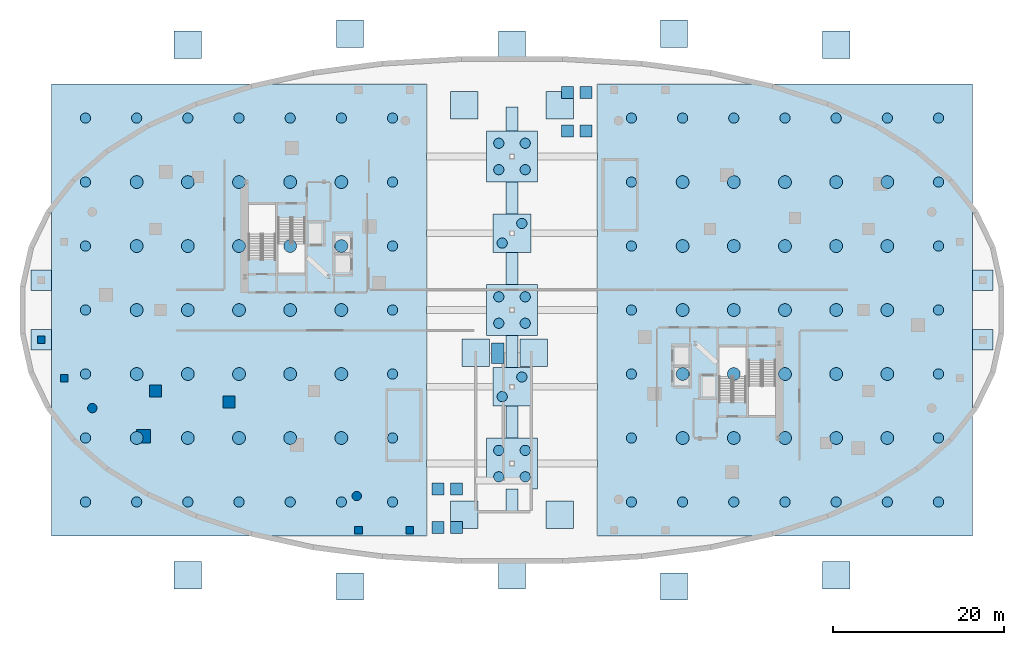
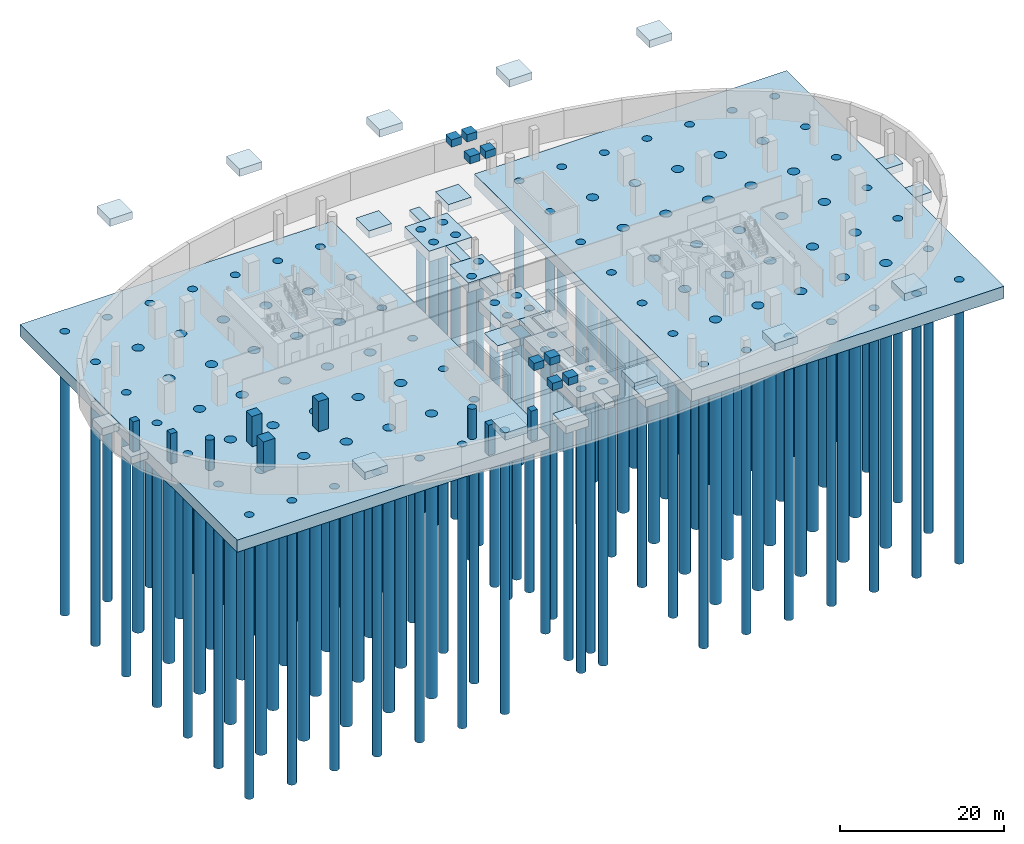
# One storey, part 1 of 10: 114 piles, 42 footings, 9 columns.
"""IFC4 building model written with IfcOpenShell, lengths in metres."""

from ifc_helpers import new_model, si_unit, direction, frame, origin, origin_2d, place, context, subcontext, project, spatial, rectangle, circle, extrude, material, layer, layer_set, material_profile, profile_set, type_object, element, save


model = new_model("IFC4")

# Units and contexts
model_context = context("Model", 3, precision=1e-05, world=origin(), true_north=direction((0.0, 1.0)))
body_context = subcontext(model_context, "Body", "Model", "MODEL_VIEW")
ifc_project = project(units=[si_unit("LENGTHUNIT", "METRE"), si_unit("AREAUNIT", "SQUARE_METRE"), si_unit("VOLUMEUNIT", "CUBIC_METRE"), si_unit("PLANEANGLEUNIT", "RADIAN"), si_unit("MASSUNIT", "GRAM", prefix="KILO"), si_unit("THERMODYNAMICTEMPERATUREUNIT", "KELVIN"), si_unit("POWERUNIT", "WATT")], contexts=[model_context])

# Site, building, storey
site_placement = place(None, origin())
site = spatial("IfcSite", under=ifc_project, at=site_placement, CompositionType="ELEMENT")
building_placement = place(site_placement, origin())
building = spatial("IfcBuilding", under=site, at=building_placement, Name="Cundina Bronze Exchange", CompositionType="ELEMENT")
storey_placement = place(building_placement, frame((0.0, 0.0, -9.0)))
storey = spatial("IfcBuildingStorey", under=building, at=storey_placement, Name="B02", CompositionType="ELEMENT", Elevation=-9.0)

# Footings
ifc_material_1 = material(Name="Concrete C40/50", Category="concrete")
ifc_layer_1 = layer(ifc_material_1, 1.39990234375, Name="Concrete C40/50", Category="concrete")
ifc_layer_set_1 = layer_set([ifc_layer_1], Name="Concrete C40/50")
footing_type_1 = type_object("IfcFootingType", Name="FTG-CAP-450", PredefinedType="PILE_CAP", material=ifc_layer_set_1)
for number, where, z_axis, x_axis, name in (
    (1, (0.0, -9.0, -1.39990234375), (0.0, 0.0, 1.0), (1.0, 0.0, 0.0), "Concourse Intermediate Pile Cap C4-1"),
    (2, (0.0, 9.0, -1.39990234375), (0.0, 0.0, 1.0), (1.0, 0.0, 0.0), "Concourse Intermediate Pile Cap C4-2"),
):
    element("IfcFooting", number, at=place(storey_placement, frame(where, z_axis=z_axis, x_axis=x_axis)), inside=storey, type_object=footing_type_1, Name=name, PredefinedType="PILE_CAP", context=body_context, shape_type="SweptSolid", body=[
        extrude(rectangle(XDim=4.5, YDim=4.5, at=origin_2d()), origin(), (0.0, 0.0, 1.0), 1.39990234375),
    ])
ifc_layer_2 = layer(ifc_material_1, 1.60009765625, Name="Concrete C40/50", Category="concrete")
ifc_layer_set_2 = layer_set([ifc_layer_2], Name="Concrete C40/50")
footing_type_2 = type_object("IfcFootingType", Name="FTG-CAP-600", PredefinedType="PILE_CAP", material=ifc_layer_set_2)
for number, where, z_axis, x_axis, name in (
    (3, (0.0, -18.0, -1.60009765625), (0.0, 0.0, 1.0), (1.0, 0.0, 0.0), "Concourse Spine Pile Cap C6-1"),
    (4, (0.0, 0.0, -1.60009765625), (0.0, 0.0, 1.0), (1.0, 0.0, 0.0), "Concourse Spine Pile Cap C6-2"),
    (5, (0.0, 18.0, -1.60009765625), (0.0, 0.0, 1.0), (1.0, 0.0, 0.0), "Concourse Spine Pile Cap C6-3"),
):
    element("IfcFooting", number, at=place(storey_placement, frame(where, z_axis=z_axis, x_axis=x_axis)), inside=storey, type_object=footing_type_2, Name=name, PredefinedType="PILE_CAP", context=body_context, shape_type="SweptSolid", body=[
        extrude(rectangle(XDim=6.0, YDim=6.0, at=origin_2d()), origin(), (0.0, 0.0, 1.0), 1.60009765625),
    ])
ifc_layer_3 = layer(ifc_material_1, 1.10009765625, Name="Concrete C40/50", Category="concrete")
ifc_layer_set_3 = layer_set([ifc_layer_3], Name="Concrete C40/50")
footing_type_3 = type_object("IfcFootingType", Name="FTG-PAD-320", PredefinedType="PAD_FOOTING", material=ifc_layer_set_3)
for number, where, z_axis, x_axis, name in (
    (6, (-5.60009765625, -24.0, -1.10009765625), (0.0, 0.0, 1.0), (1.0, 0.0, 0.0), "Podium Concourse Pad Footing PF-1"),
    (7, (5.60009765625, -24.0, -1.10009765625), (0.0, 0.0, 1.0), (1.0, 0.0, 0.0), "Podium Concourse Pad Footing PF-2"),
    (8, (-5.60009765625, 24.0, -1.10009765625), (0.0, 0.0, 1.0), (1.0, 0.0, 0.0), "Podium Concourse Pad Footing PF-3"),
    (9, (5.60009765625, 24.0, -1.10009765625), (0.0, 0.0, 1.0), (1.0, 0.0, 0.0), "Podium Concourse Pad Footing PF-4"),
    (10, (-4.25, -5.0, -1.10009765625), (0.0, 0.0, 1.0), (1.0, 0.0, 0.0), "Podium Concourse Pad Footing PF-5"),
    (11, (2.550048828125, -5.0, -1.10009765625), (0.0, 0.0, 1.0), (1.0, 0.0, 0.0), "Podium Concourse Pad Footing PF-6"),
):
    element("IfcFooting", number, at=place(storey_placement, frame(where, z_axis=z_axis, x_axis=x_axis)), inside=storey, type_object=footing_type_3, Name=name, PredefinedType="PAD_FOOTING", context=body_context, shape_type="SweptSolid", body=[
        extrude(rectangle(XDim=3.199951171875, YDim=3.199951171875, at=origin_2d()), origin(), (0.0, 0.0, 1.0), 1.10009765625),
    ])
footing_1_placement = place(storey_placement, frame((-1.679931640625, -5.050048828125, -1.380126953125), z_axis=(0.0, 0.0, 1.0), x_axis=(1.0, 0.0, 0.0)))
element("IfcFooting", 12, at=footing_1_placement, inside=storey, type_object=footing_type_3, Name="B02 Car Park Ramp Lower Toe Pad Footing", PredefinedType="PAD_FOOTING", context=body_context, shape_type="SweptSolid", body=[
    extrude(rectangle(XDim=1.5, YDim=2.39990234375, at=origin_2d()), origin(), (0.0, 0.0, 1.0), 1.10009765625),
])
for number, where, z_axis, x_axis, name in (
    (13, (-55.199951171875, -3.5, -1.10009765625), (0.0, 0.0, 1.0), (1.0, 0.0, 0.0), "B02 Podium Wing Pad Footing W3"),
    (14, (-55.199951171875, 3.5, -1.10009765625), (0.0, 0.0, 1.0), (1.0, 0.0, 0.0), "B02 Podium Wing Pad Footing W4"),
    (15, (55.199951171875, -3.5, -1.10009765625), (0.0, 0.0, 1.0), (1.0, 0.0, 0.0), "B02 Podium Wing Pad Footing E3"),
    (16, (55.199951171875, 3.5, -1.10009765625), (0.0, 0.0, 1.0), (1.0, 0.0, 0.0), "B02 Podium Wing Pad Footing E4"),
):
    element("IfcFooting", number, at=place(storey_placement, frame(where, z_axis=z_axis, x_axis=x_axis)), inside=storey, type_object=footing_type_3, Name=name, PredefinedType="PAD_FOOTING", context=body_context, shape_type="SweptSolid", body=[
        extrude(rectangle(XDim=2.39990234375, YDim=2.39990234375, at=origin_2d()), origin(), (0.0, 0.0, 1.0), 1.10009765625),
    ])
for number, where, z_axis, x_axis, name in (
    (17, (-8.699951171875, -25.5, 6.449951171875), (0.0, 0.0, 1.0), (1.0, 0.0, 0.0), "Accessible Ramp S Bearing Pad 1"),
    (18, (-6.5, -25.5, 6.449951171875), (0.0, 0.0, 1.0), (1.0, 0.0, 0.0), "Accessible Ramp S Bearing Pad 2"),
    (19, (-8.699951171875, -21.0, 6.699951171875), (0.0, 0.0, 1.0), (1.0, 0.0, 0.0), "Accessible Ramp S Bearing Pad 3"),
    (20, (-6.5, -21.0, 6.699951171875), (0.0, 0.0, 1.0), (1.0, 0.0, 0.0), "Accessible Ramp S Bearing Pad 4"),
    (21, (6.5, 25.5, 6.449951171875), (0.0, 0.0, 1.0), (1.0, 0.0, 0.0), "Accessible Ramp N Bearing Pad 1"),
    (22, (8.699951171875, 25.5, 6.449951171875), (0.0, 0.0, 1.0), (1.0, 0.0, 0.0), "Accessible Ramp N Bearing Pad 2"),
    (23, (6.5, 21.0, 6.699951171875), (0.0, 0.0, 1.0), (1.0, 0.0, 0.0), "Accessible Ramp N Bearing Pad 3"),
    (24, (8.699951171875, 21.0, 6.699951171875), (0.0, 0.0, 1.0), (1.0, 0.0, 0.0), "Accessible Ramp N Bearing Pad 4"),
):
    element("IfcFooting", number, at=place(storey_placement, frame(where, z_axis=z_axis, x_axis=x_axis)), inside=storey, type_object=footing_type_3, Name=name, PredefinedType="PAD_FOOTING", context=body_context, shape_type="SweptSolid", body=[
        extrude(rectangle(XDim=1.39990234375, YDim=1.39990234375, at=origin_2d()), origin(), (0.0, 0.0, 1.0), 1.10009765625),
    ])
for number, where, z_axis, x_axis, name in (
    (25, (-38.0, -31.10009765625, 7.699951171875), (0.0, 0.0, 1.0), (1.0, 0.0, 0.0), "Plaza Entrance Apron Grade Pad Footing S1-1"),
    (26, (-19.0, -32.39990234375, 7.699951171875), (0.0, 0.0, 1.0), (1.0, 0.0, 0.0), "Plaza Entrance Apron Grade Pad Footing S1-2"),
    (27, (0.0, -31.10009765625, 7.699951171875), (0.0, 0.0, 1.0), (1.0, 0.0, 0.0), "Plaza Entrance Apron Grade Pad Footing S1-3"),
    (28, (19.0, -32.39990234375, 7.699951171875), (0.0, 0.0, 1.0), (1.0, 0.0, 0.0), "Plaza Entrance Apron Grade Pad Footing S1-4"),
    (29, (38.0, -31.10009765625, 7.699951171875), (0.0, 0.0, 1.0), (1.0, 0.0, 0.0), "Plaza Entrance Apron Grade Pad Footing S1-5"),
    (30, (-38.0, 31.10009765625, 7.699951171875), (0.0, 0.0, 1.0), (1.0, 0.0, 0.0), "Plaza Entrance Apron Grade Pad Footing N1-1"),
    (31, (-19.0, 32.39990234375, 7.699951171875), (0.0, 0.0, 1.0), (1.0, 0.0, 0.0), "Plaza Entrance Apron Grade Pad Footing N1-2"),
    (32, (0.0, 31.10009765625, 7.699951171875), (0.0, 0.0, 1.0), (1.0, 0.0, 0.0), "Plaza Entrance Apron Grade Pad Footing N1-3"),
    (33, (19.0, 32.39990234375, 7.699951171875), (0.0, 0.0, 1.0), (1.0, 0.0, 0.0), "Plaza Entrance Apron Grade Pad Footing N1-4"),
    (34, (38.0, 31.10009765625, 7.699951171875), (0.0, 0.0, 1.0), (1.0, 0.0, 0.0), "Plaza Entrance Apron Grade Pad Footing N1-5"),
):
    element("IfcFooting", number, at=place(storey_placement, frame(where, z_axis=z_axis, x_axis=x_axis)), inside=storey, type_object=footing_type_3, Name=name, PredefinedType="PAD_FOOTING", context=body_context, shape_type="SweptSolid", body=[
        extrude(rectangle(XDim=3.199951171875, YDim=3.199951171875, at=origin_2d()), origin(), (0.0, 0.0, 1.0), 1.10009765625),
    ])
ifc_layer_4 = layer(ifc_material_1, 1.800048828125, Name="Concrete C40/50", Category="concrete")
ifc_layer_set_4 = layer_set([ifc_layer_4], Name="Concrete C40/50")
footing_type_4 = type_object("IfcFootingType", Name="FTG-RAFT-E", PredefinedType="PILE_CAP", material=ifc_layer_set_4)
footing_2_placement = place(storey_placement, frame((32.0, 0.0, -1.7998046875), z_axis=(0.0, 0.0, 1.0), x_axis=(1.0, 0.0, 0.0)))
element("IfcFooting", 35, at=footing_2_placement, inside=storey, type_object=footing_type_4, Name="East Tower Cellular Piled-Raft Cap", PredefinedType="PILE_CAP", context=body_context, shape_type="SweptSolid", body=[
    extrude(rectangle(XDim=44.0, YDim=53.0, at=origin_2d()), origin(), (0.0, 0.0, 1.0), 1.800048828125),
])
ifc_layer_5 = layer(ifc_material_1, 1.800048828125, Name="Concrete C40/50", Category="concrete")
ifc_layer_set_5 = layer_set([ifc_layer_5], Name="Concrete C40/50")
footing_type_5 = type_object("IfcFootingType", Name="FTG-RAFT-W", PredefinedType="PILE_CAP", material=ifc_layer_set_5)
footing_3_placement = place(storey_placement, frame((-32.0, 0.0, -1.7998046875), z_axis=(0.0, 0.0, 1.0), x_axis=(1.0, 0.0, 0.0)))
element("IfcFooting", 36, at=footing_3_placement, inside=storey, type_object=footing_type_5, Name="West Tower Cellular Piled-Raft Cap", PredefinedType="PILE_CAP", context=body_context, shape_type="SweptSolid", body=[
    extrude(rectangle(XDim=44.0, YDim=53.0, at=origin_2d()), origin(), (0.0, 0.0, 1.0), 1.800048828125),
])
ifc_layer_6 = layer(ifc_material_1, 0.89990234375, Name="Concrete C40/50", Category="concrete")
ifc_layer_set_6 = layer_set([ifc_layer_6], Name="Concrete C40/50")
footing_type_6 = type_object("IfcFootingType", Name="FTG-STR-140", PredefinedType="STRIP_FOOTING", material=ifc_layer_set_6)
for number, where, z_axis, x_axis, name in (
    (37, (0.0, -13.125, -0.89990234375), (0.0, 0.0, 1.0), (1.0, 0.0, 0.0), "Concourse Spine Strip Footing SF-1"),
    (38, (0.0, -4.875, -0.89990234375), (0.0, 0.0, 1.0), (1.0, 0.0, 0.0), "Concourse Spine Strip Footing SF-2"),
    (39, (0.0, 4.875, -0.89990234375), (0.0, 0.0, 1.0), (1.0, 0.0, 0.0), "Concourse Spine Strip Footing SF-3"),
    (40, (0.0, 13.125, -0.89990234375), (0.0, 0.0, 1.0), (1.0, 0.0, 0.0), "Concourse Spine Strip Footing SF-4"),
):
    element("IfcFooting", number, at=place(storey_placement, frame(where, z_axis=z_axis, x_axis=x_axis)), inside=storey, type_object=footing_type_6, Name=name, PredefinedType="STRIP_FOOTING", context=body_context, shape_type="SweptSolid", body=[
        extrude(rectangle(XDim=1.39990234375, YDim=3.75, at=origin_2d()), origin(), (0.0, 0.0, 1.0), 0.89990234375),
    ])
for number, where, z_axis, x_axis, name in (
    (41, (0.0, -22.39990234375, -0.89990234375), (0.0, 0.0, 1.0), (1.0, 0.0, 0.0), "Concourse Spine Strip Footing SF-5"),
    (42, (0.0, 22.39990234375, -0.89990234375), (0.0, 0.0, 1.0), (1.0, 0.0, 0.0), "Concourse Spine Strip Footing SF-6"),
):
    element("IfcFooting", number, at=place(storey_placement, frame(where, z_axis=z_axis, x_axis=x_axis)), inside=storey, type_object=footing_type_6, Name=name, PredefinedType="STRIP_FOOTING", context=body_context, shape_type="SweptSolid", body=[
        extrude(rectangle(XDim=1.39990234375, YDim=2.800048828125, at=origin_2d()), origin(), (0.0, 0.0, 1.0), 0.89990234375),
    ])

# Piles
ifc_material_profile_1 = material_profile(ifc_material_1, circle(Radius=0.60009765625, at=origin_2d()), Name="PILE1200D", Category="concrete")
ifc_profile_set_1 = profile_set([ifc_material_profile_1], Name="Concrete C40/50")
pile_type_1 = type_object("IfcPileType", Name="PIL-BOR-1200", PredefinedType="BORED", material=ifc_profile_set_1)
for number, where, z_axis, x_axis, name in (
    (43, (-50.0, -22.5, 0.0), (0.0, 0.0, -1.0), (1.0, 0.0, 0.0), "W Raft Bored Pile 001"),
    (44, (-50.0, -15.0, 0.0), (0.0, 0.0, -1.0), (1.0, 0.0, 0.0), "W Raft Bored Pile 002"),
    (45, (-50.0, -7.5, 0.0), (0.0, 0.0, -1.0), (1.0, 0.0, 0.0), "W Raft Bored Pile 003"),
    (46, (-50.0, 0.0, 0.0), (0.0, 0.0, -1.0), (1.0, 0.0, 0.0), "W Raft Bored Pile 004"),
    (47, (-50.0, 7.5, 0.0), (0.0, 0.0, -1.0), (1.0, 0.0, 0.0), "W Raft Bored Pile 005"),
    (48, (-50.0, 15.0, 0.0), (0.0, 0.0, -1.0), (1.0, 0.0, 0.0), "W Raft Bored Pile 006"),
    (49, (-50.0, 22.5, 0.0), (0.0, 0.0, -1.0), (1.0, 0.0, 0.0), "W Raft Bored Pile 007"),
    (50, (-44.0, -22.5, 0.0), (0.0, 0.0, -1.0), (1.0, 0.0, 0.0), "W Raft Bored Pile 008"),
    (51, (-44.0, 22.5, 0.0), (0.0, 0.0, -1.0), (1.0, 0.0, 0.0), "W Raft Bored Pile 014"),
    (52, (-38.0, -22.5, 0.0), (0.0, 0.0, -1.0), (1.0, 0.0, 0.0), "W Raft Bored Pile 015"),
    (53, (-38.0, 22.5, 0.0), (0.0, 0.0, -1.0), (1.0, 0.0, 0.0), "W Raft Bored Pile 021"),
    (54, (-32.0, -22.5, 0.0), (0.0, 0.0, -1.0), (1.0, 0.0, 0.0), "W Raft Bored Pile 022"),
    (55, (-32.0, 22.5, 0.0), (0.0, 0.0, -1.0), (1.0, 0.0, 0.0), "W Raft Bored Pile 028"),
    (56, (-26.0, -22.5, 0.0), (0.0, 0.0, -1.0), (1.0, 0.0, 0.0), "W Raft Bored Pile 029"),
    (57, (-26.0, 22.5, 0.0), (0.0, 0.0, -1.0), (1.0, 0.0, 0.0), "W Raft Bored Pile 035"),
    (58, (-20.0, -22.5, 0.0), (0.0, 0.0, -1.0), (1.0, 0.0, 0.0), "W Raft Bored Pile 036"),
    (59, (-20.0, 22.5, 0.0), (0.0, 0.0, -1.0), (1.0, 0.0, 0.0), "W Raft Bored Pile 042"),
    (60, (-14.0, -22.5, 0.0), (0.0, 0.0, -1.0), (1.0, 0.0, 0.0), "W Raft Bored Pile 043"),
    (61, (-14.0, -15.0, 0.0), (0.0, 0.0, -1.0), (1.0, 0.0, 0.0), "W Raft Bored Pile 044"),
    (62, (-14.0, -7.5, 0.0), (0.0, 0.0, -1.0), (1.0, 0.0, 0.0), "W Raft Bored Pile 045"),
    (63, (-14.0, 0.0, 0.0), (0.0, 0.0, -1.0), (1.0, 0.0, 0.0), "W Raft Bored Pile 046"),
    (64, (-14.0, 7.5, 0.0), (0.0, 0.0, -1.0), (1.0, 0.0, 0.0), "W Raft Bored Pile 047"),
    (65, (-14.0, 15.0, 0.0), (0.0, 0.0, -1.0), (1.0, 0.0, 0.0), "W Raft Bored Pile 048"),
    (66, (-14.0, 22.5, 0.0), (0.0, 0.0, -1.0), (1.0, 0.0, 0.0), "W Raft Bored Pile 049"),
    (67, (14.0, -22.5, 0.0), (0.0, 0.0, -1.0), (1.0, 0.0, 0.0), "E Raft Bored Pile 050"),
    (68, (14.0, -15.0, 0.0), (0.0, 0.0, -1.0), (1.0, 0.0, 0.0), "E Raft Bored Pile 051"),
    (69, (14.0, -7.5, 0.0), (0.0, 0.0, -1.0), (1.0, 0.0, 0.0), "E Raft Bored Pile 052"),
    (70, (14.0, 0.0, 0.0), (0.0, 0.0, -1.0), (1.0, 0.0, 0.0), "E Raft Bored Pile 053"),
    (71, (14.0, 7.5, 0.0), (0.0, 0.0, -1.0), (1.0, 0.0, 0.0), "E Raft Bored Pile 054"),
    (72, (14.0, 15.0, 0.0), (0.0, 0.0, -1.0), (1.0, 0.0, 0.0), "E Raft Bored Pile 055"),
    (73, (14.0, 22.5, 0.0), (0.0, 0.0, -1.0), (1.0, 0.0, 0.0), "E Raft Bored Pile 056"),
    (74, (20.0, -22.5, 0.0), (0.0, 0.0, -1.0), (1.0, 0.0, 0.0), "E Raft Bored Pile 057"),
    (75, (20.0, 22.5, 0.0), (0.0, 0.0, -1.0), (1.0, 0.0, 0.0), "E Raft Bored Pile 063"),
    (76, (26.0, -22.5, 0.0), (0.0, 0.0, -1.0), (1.0, 0.0, 0.0), "E Raft Bored Pile 064"),
    (77, (26.0, 22.5, 0.0), (0.0, 0.0, -1.0), (1.0, 0.0, 0.0), "E Raft Bored Pile 070"),
    (78, (32.0, -22.5, 0.0), (0.0, 0.0, -1.0), (1.0, 0.0, 0.0), "E Raft Bored Pile 071"),
    (79, (32.0, 22.5, 0.0), (0.0, 0.0, -1.0), (1.0, 0.0, 0.0), "E Raft Bored Pile 077"),
    (80, (38.0, -22.5, 0.0), (0.0, 0.0, -1.0), (1.0, 0.0, 0.0), "E Raft Bored Pile 078"),
    (81, (38.0, 22.5, 0.0), (0.0, 0.0, -1.0), (1.0, 0.0, 0.0), "E Raft Bored Pile 084"),
    (82, (44.0, -22.5, 0.0), (0.0, 0.0, -1.0), (1.0, 0.0, 0.0), "E Raft Bored Pile 085"),
    (83, (44.0, 22.5, 0.0), (0.0, 0.0, -1.0), (1.0, 0.0, 0.0), "E Raft Bored Pile 091"),
    (84, (50.0, -22.5, 0.0), (0.0, 0.0, -1.0), (1.0, 0.0, 0.0), "E Raft Bored Pile 092"),
    (85, (50.0, -15.0, 0.0), (0.0, 0.0, -1.0), (1.0, 0.0, 0.0), "E Raft Bored Pile 093"),
    (86, (50.0, -7.5, 0.0), (0.0, 0.0, -1.0), (1.0, 0.0, 0.0), "E Raft Bored Pile 094"),
    (87, (50.0, 0.0, 0.0), (0.0, 0.0, -1.0), (1.0, 0.0, 0.0), "E Raft Bored Pile 095"),
    (88, (50.0, 7.5, 0.0), (0.0, 0.0, -1.0), (1.0, 0.0, 0.0), "E Raft Bored Pile 096"),
    (89, (50.0, 15.0, 0.0), (0.0, 0.0, -1.0), (1.0, 0.0, 0.0), "E Raft Bored Pile 097"),
    (90, (50.0, 22.5, 0.0), (0.0, 0.0, -1.0), (1.0, 0.0, 0.0), "E Raft Bored Pile 098"),
    (91, (-1.550048828125, -19.550048828125, 0.0), (0.0, 0.0, -1.0), (1.0, 0.0, 0.0), "Concourse Cap 1 Bored Pile 099"),
    (92, (-1.550048828125, -16.449951171875, 0.0), (0.0, 0.0, -1.0), (1.0, 0.0, 0.0), "Concourse Cap 1 Bored Pile 100"),
    (93, (1.550048828125, -19.550048828125, 0.0), (0.0, 0.0, -1.0), (1.0, 0.0, 0.0), "Concourse Cap 1 Bored Pile 101"),
    (94, (1.550048828125, -16.449951171875, 0.0), (0.0, 0.0, -1.0), (1.0, 0.0, 0.0), "Concourse Cap 1 Bored Pile 102"),
    (95, (-1.550048828125, -1.550048828125, 0.0), (0.0, 0.0, -1.0), (1.0, 0.0, 0.0), "Concourse Cap 2 Bored Pile 103"),
    (96, (-1.550048828125, 1.550048828125, 0.0), (0.0, 0.0, -1.0), (1.0, 0.0, 0.0), "Concourse Cap 2 Bored Pile 104"),
    (97, (1.550048828125, -1.550048828125, 0.0), (0.0, 0.0, -1.0), (1.0, 0.0, 0.0), "Concourse Cap 2 Bored Pile 105"),
    (98, (1.550048828125, 1.550048828125, 0.0), (0.0, 0.0, -1.0), (1.0, 0.0, 0.0), "Concourse Cap 2 Bored Pile 106"),
    (99, (-1.550048828125, 16.449951171875, 0.0), (0.0, 0.0, -1.0), (1.0, 0.0, 0.0), "Concourse Cap 3 Bored Pile 107"),
    (100, (-1.550048828125, 19.550048828125, 0.0), (0.0, 0.0, -1.0), (1.0, 0.0, 0.0), "Concourse Cap 3 Bored Pile 108"),
    (101, (1.550048828125, 16.449951171875, 0.0), (0.0, 0.0, -1.0), (1.0, 0.0, 0.0), "Concourse Cap 3 Bored Pile 109"),
    (102, (1.550048828125, 19.550048828125, 0.0), (0.0, 0.0, -1.0), (1.0, 0.0, 0.0), "Concourse Cap 3 Bored Pile 110"),
    (103, (-1.14990234375, -10.14990234375, 0.0), (0.0, 0.0, -1.0), (1.0, 0.0, 0.0), "Concourse Cap C4-1 Bored Pile 111"),
    (104, (1.14990234375, -7.85009765625, 0.0), (0.0, 0.0, -1.0), (1.0, 0.0, 0.0), "Concourse Cap C4-1 Bored Pile 112"),
    (105, (-1.14990234375, 7.85009765625, 0.0), (0.0, 0.0, -1.0), (1.0, 0.0, 0.0), "Concourse Cap C4-2 Bored Pile 113"),
    (106, (1.14990234375, 10.14990234375, 0.0), (0.0, 0.0, -1.0), (1.0, 0.0, 0.0), "Concourse Cap C4-2 Bored Pile 114"),
):
    element("IfcPile", number, at=place(storey_placement, frame(where, z_axis=z_axis, x_axis=x_axis)), inside=storey, type_object=pile_type_1, Name=name, PredefinedType="BORED", context=body_context, shape_type="SweptSolid", body=[
        extrude(circle(Radius=0.60009765625, at=origin_2d()), origin(), (0.0, 0.0, 1.0), 42.0),
    ])
ifc_material_profile_2 = material_profile(ifc_material_1, circle(Radius=0.75, at=origin_2d()), Name="PILE1500D", Category="concrete")
ifc_profile_set_2 = profile_set([ifc_material_profile_2], Name="Concrete C40/50")
pile_type_2 = type_object("IfcPileType", Name="PIL-BOR-1500", PredefinedType="BORED", material=ifc_profile_set_2)
for number, where, z_axis, x_axis, name in (
    (107, (-44.0, -15.0, 0.0), (0.0, 0.0, -1.0), (1.0, 0.0, 0.0), "W Raft Bored Pile 009"),
    (108, (-44.0, -7.5, 0.0), (0.0, 0.0, -1.0), (1.0, 0.0, 0.0), "W Raft Bored Pile 010"),
    (109, (-44.0, 0.0, 0.0), (0.0, 0.0, -1.0), (1.0, 0.0, 0.0), "W Raft Bored Pile 011"),
    (110, (-44.0, 7.5, 0.0), (0.0, 0.0, -1.0), (1.0, 0.0, 0.0), "W Raft Bored Pile 012"),
    (111, (-44.0, 15.0, 0.0), (0.0, 0.0, -1.0), (1.0, 0.0, 0.0), "W Raft Bored Pile 013"),
    (112, (-38.0, -15.0, 0.0), (0.0, 0.0, -1.0), (1.0, 0.0, 0.0), "W Raft Bored Pile 016"),
    (113, (-38.0, -7.5, 0.0), (0.0, 0.0, -1.0), (1.0, 0.0, 0.0), "W Raft Bored Pile 017"),
    (114, (-38.0, 0.0, 0.0), (0.0, 0.0, -1.0), (1.0, 0.0, 0.0), "W Raft Bored Pile 018"),
    (115, (-38.0, 7.5, 0.0), (0.0, 0.0, -1.0), (1.0, 0.0, 0.0), "W Raft Bored Pile 019"),
    (116, (-38.0, 15.0, 0.0), (0.0, 0.0, -1.0), (1.0, 0.0, 0.0), "W Raft Bored Pile 020"),
    (117, (-32.0, -15.0, 0.0), (0.0, 0.0, -1.0), (1.0, 0.0, 0.0), "W Raft Bored Pile 023"),
    (118, (-32.0, -7.5, 0.0), (0.0, 0.0, -1.0), (1.0, 0.0, 0.0), "W Raft Bored Pile 024"),
    (119, (-32.0, 0.0, 0.0), (0.0, 0.0, -1.0), (1.0, 0.0, 0.0), "W Raft Bored Pile 025"),
    (120, (-32.0, 7.5, 0.0), (0.0, 0.0, -1.0), (1.0, 0.0, 0.0), "W Raft Bored Pile 026"),
    (121, (-32.0, 15.0, 0.0), (0.0, 0.0, -1.0), (1.0, 0.0, 0.0), "W Raft Bored Pile 027"),
    (122, (-26.0, -15.0, 0.0), (0.0, 0.0, -1.0), (1.0, 0.0, 0.0), "W Raft Bored Pile 030"),
    (123, (-26.0, -7.5, 0.0), (0.0, 0.0, -1.0), (1.0, 0.0, 0.0), "W Raft Bored Pile 031"),
    (124, (-26.0, 0.0, 0.0), (0.0, 0.0, -1.0), (1.0, 0.0, 0.0), "W Raft Bored Pile 032"),
    (125, (-26.0, 7.5, 0.0), (0.0, 0.0, -1.0), (1.0, 0.0, 0.0), "W Raft Bored Pile 033"),
    (126, (-26.0, 15.0, 0.0), (0.0, 0.0, -1.0), (1.0, 0.0, 0.0), "W Raft Bored Pile 034"),
    (127, (-20.0, -15.0, 0.0), (0.0, 0.0, -1.0), (1.0, 0.0, 0.0), "W Raft Bored Pile 037"),
    (128, (-20.0, -7.5, 0.0), (0.0, 0.0, -1.0), (1.0, 0.0, 0.0), "W Raft Bored Pile 038"),
    (129, (-20.0, 0.0, 0.0), (0.0, 0.0, -1.0), (1.0, 0.0, 0.0), "W Raft Bored Pile 039"),
    (130, (-20.0, 7.5, 0.0), (0.0, 0.0, -1.0), (1.0, 0.0, 0.0), "W Raft Bored Pile 040"),
    (131, (-20.0, 15.0, 0.0), (0.0, 0.0, -1.0), (1.0, 0.0, 0.0), "W Raft Bored Pile 041"),
    (132, (20.0, -15.0, 0.0), (0.0, 0.0, -1.0), (1.0, 0.0, 0.0), "E Raft Bored Pile 058"),
    (133, (20.0, -7.5, 0.0), (0.0, 0.0, -1.0), (1.0, 0.0, 0.0), "E Raft Bored Pile 059"),
    (134, (20.0, 0.0, 0.0), (0.0, 0.0, -1.0), (1.0, 0.0, 0.0), "E Raft Bored Pile 060"),
    (135, (20.0, 7.5, 0.0), (0.0, 0.0, -1.0), (1.0, 0.0, 0.0), "E Raft Bored Pile 061"),
    (136, (20.0, 15.0, 0.0), (0.0, 0.0, -1.0), (1.0, 0.0, 0.0), "E Raft Bored Pile 062"),
    (137, (26.0, -15.0, 0.0), (0.0, 0.0, -1.0), (1.0, 0.0, 0.0), "E Raft Bored Pile 065"),
    (138, (26.0, -7.5, 0.0), (0.0, 0.0, -1.0), (1.0, 0.0, 0.0), "E Raft Bored Pile 066"),
    (139, (26.0, 0.0, 0.0), (0.0, 0.0, -1.0), (1.0, 0.0, 0.0), "E Raft Bored Pile 067"),
    (140, (26.0, 7.5, 0.0), (0.0, 0.0, -1.0), (1.0, 0.0, 0.0), "E Raft Bored Pile 068"),
    (141, (26.0, 15.0, 0.0), (0.0, 0.0, -1.0), (1.0, 0.0, 0.0), "E Raft Bored Pile 069"),
    (142, (32.0, -15.0, 0.0), (0.0, 0.0, -1.0), (1.0, 0.0, 0.0), "E Raft Bored Pile 072"),
    (143, (32.0, -7.5, 0.0), (0.0, 0.0, -1.0), (1.0, 0.0, 0.0), "E Raft Bored Pile 073"),
    (144, (32.0, 0.0, 0.0), (0.0, 0.0, -1.0), (1.0, 0.0, 0.0), "E Raft Bored Pile 074"),
    (145, (32.0, 7.5, 0.0), (0.0, 0.0, -1.0), (1.0, 0.0, 0.0), "E Raft Bored Pile 075"),
    (146, (32.0, 15.0, 0.0), (0.0, 0.0, -1.0), (1.0, 0.0, 0.0), "E Raft Bored Pile 076"),
    (147, (38.0, -15.0, 0.0), (0.0, 0.0, -1.0), (1.0, 0.0, 0.0), "E Raft Bored Pile 079"),
    (148, (38.0, -7.5, 0.0), (0.0, 0.0, -1.0), (1.0, 0.0, 0.0), "E Raft Bored Pile 080"),
    (149, (38.0, 0.0, 0.0), (0.0, 0.0, -1.0), (1.0, 0.0, 0.0), "E Raft Bored Pile 081"),
    (150, (38.0, 7.5, 0.0), (0.0, 0.0, -1.0), (1.0, 0.0, 0.0), "E Raft Bored Pile 082"),
    (151, (38.0, 15.0, 0.0), (0.0, 0.0, -1.0), (1.0, 0.0, 0.0), "E Raft Bored Pile 083"),
    (152, (44.0, -15.0, 0.0), (0.0, 0.0, -1.0), (1.0, 0.0, 0.0), "E Raft Bored Pile 086"),
    (153, (44.0, -7.5, 0.0), (0.0, 0.0, -1.0), (1.0, 0.0, 0.0), "E Raft Bored Pile 087"),
    (154, (44.0, 0.0, 0.0), (0.0, 0.0, -1.0), (1.0, 0.0, 0.0), "E Raft Bored Pile 088"),
    (155, (44.0, 7.5, 0.0), (0.0, 0.0, -1.0), (1.0, 0.0, 0.0), "E Raft Bored Pile 089"),
    (156, (44.0, 15.0, 0.0), (0.0, 0.0, -1.0), (1.0, 0.0, 0.0), "E Raft Bored Pile 090"),
):
    element("IfcPile", number, at=place(storey_placement, frame(where, z_axis=z_axis, x_axis=x_axis)), inside=storey, type_object=pile_type_2, Name=name, PredefinedType="BORED", context=body_context, shape_type="SweptSolid", body=[
        extrude(circle(Radius=0.75, at=origin_2d()), origin(), (0.0, 0.0, 1.0), 42.0),
    ])

# Columns
ifc_material_2 = material(Name="Concrete C60/75", Category="concrete")
ifc_material_profile_3 = material_profile(ifc_material_2, rectangle(XDim=1.39990234375, YDim=1.39990234375, at=origin_2d()), Name="RC1400X1400", Category="concrete")
ifc_profile_set_3 = profile_set([ifc_material_profile_3], Name="Concrete C60/75")
column_type_1 = type_object("IfcColumnType", Name="COL-MEGA-1400", PredefinedType="COLUMN", material=ifc_profile_set_3)
for number, where, z_axis, x_axis, name in (
    (157, (-41.800048828125, -9.5, 0.0), (0.0, 0.0, 1.0), (1.0, 0.0, 0.0), "B02 W Inner Ring Column 4"),
    (158, (-33.199951171875, -10.800048828125, 0.0), (0.0, 0.0, 1.0), (1.0, 0.0, 0.0), "B02 W Inner Ring Column 5"),
):
    element("IfcColumn", number, at=place(storey_placement, frame(where, z_axis=z_axis, x_axis=x_axis)), inside=storey, type_object=column_type_1, Name=name, PredefinedType="COLUMN", context=body_context, shape_type="SweptSolid", body=[
        extrude(rectangle(XDim=1.39990234375, YDim=1.39990234375, at=origin_2d()), origin(), (0.0, 0.0, 1.0), 4.5),
    ])
ifc_material_profile_4 = material_profile(ifc_material_2, rectangle(XDim=1.60009765625, YDim=1.60009765625, at=origin_2d()), Name="RC1600X1600", Category="concrete")
ifc_profile_set_4 = profile_set([ifc_material_profile_4], Name="Concrete C60/75")
column_type_2 = type_object("IfcColumnType", Name="COL-MEGA-1600", PredefinedType="COLUMN", material=ifc_profile_set_4)
column_placement = place(storey_placement, frame((-43.199951171875, -14.800048828125, 0.0), z_axis=(0.0, 0.0, 1.0), x_axis=(1.0, 0.0, 0.0)))
element("IfcColumn", 159, at=column_placement, inside=storey, type_object=column_type_2, Name="B02 W Podium Mega-Column 10", PredefinedType="COLUMN", context=body_context, shape_type="SweptSolid", body=[
    extrude(rectangle(XDim=1.60009765625, YDim=1.60009765625, at=origin_2d()), origin(), (0.0, 0.0, 1.0), 4.5),
])
ifc_material_profile_5 = material_profile(ifc_material_2, circle(Radius=0.550048828125, at=origin_2d()), Name="RC1100D", Category="concrete")
ifc_profile_set_5 = profile_set([ifc_material_profile_5], Name="Concrete C60/75")
column_type_3 = type_object("IfcColumnType", Name="COL-PIL-1100D", PredefinedType="PILASTER", material=ifc_profile_set_5)
for number, where, z_axis, x_axis, name in (
    (160, (-49.199951171875, -11.5, 0.0), (0.0, 0.0, 1.0), (1.0, 0.0, 0.0), "B02 Podium Colonnade Pilaster 02"),
    (161, (-18.199951171875, -21.800048828125, 0.0), (0.0, 0.0, 1.0), (1.0, 0.0, 0.0), "B02 Podium Colonnade Pilaster 06"),
):
    element("IfcColumn", number, at=place(storey_placement, frame(where, z_axis=z_axis, x_axis=x_axis)), inside=storey, type_object=column_type_3, Name=name, PredefinedType="PILASTER", context=body_context, shape_type="SweptSolid", body=[
        extrude(circle(Radius=0.550048828125, at=origin_2d()), origin(), (0.0, 0.0, 1.0), 4.5),
    ])
ifc_material_3 = material(Name="Concrete C50/60", Category="concrete")
ifc_material_profile_6 = material_profile(ifc_material_3, rectangle(XDim=0.89990234375, YDim=0.89990234375, at=origin_2d()), Name="RC900X900", Category="concrete")
ifc_profile_set_6 = profile_set([ifc_material_profile_6], Name="Concrete C50/60")
column_type_4 = type_object("IfcColumnType", Name="COL-Z4-900", PredefinedType="COLUMN", material=ifc_profile_set_6)
for number, where, z_axis, x_axis, name in (
    (162, (-52.5, -8.0, 0.0), (0.0, 0.0, 1.0), (1.0, 0.0, 0.0), "B02 Podium Crescent Wing Column W1"),
    (163, (-55.199951171875, -3.5, 0.0), (0.0, 0.0, 1.0), (1.0, 0.0, 0.0), "B02 Podium Crescent Wing Column W3"),
    (164, (-18.0, -25.800048828125, 0.0), (0.0, 0.0, 1.0), (1.0, 0.0, 0.0), "B02 Canopy Support Pier 01"),
    (165, (-12.0, -25.800048828125, 0.0), (0.0, 0.0, 1.0), (1.0, 0.0, 0.0), "B02 Canopy Support Pier 02"),
):
    element("IfcColumn", number, at=place(storey_placement, frame(where, z_axis=z_axis, x_axis=x_axis)), inside=storey, type_object=column_type_4, Name=name, PredefinedType="COLUMN", context=body_context, shape_type="SweptSolid", body=[
        extrude(rectangle(XDim=0.89990234375, YDim=0.89990234375, at=origin_2d()), origin(), (0.0, 0.0, 1.0), 4.5),
    ])

save(model, "model.ifc")
